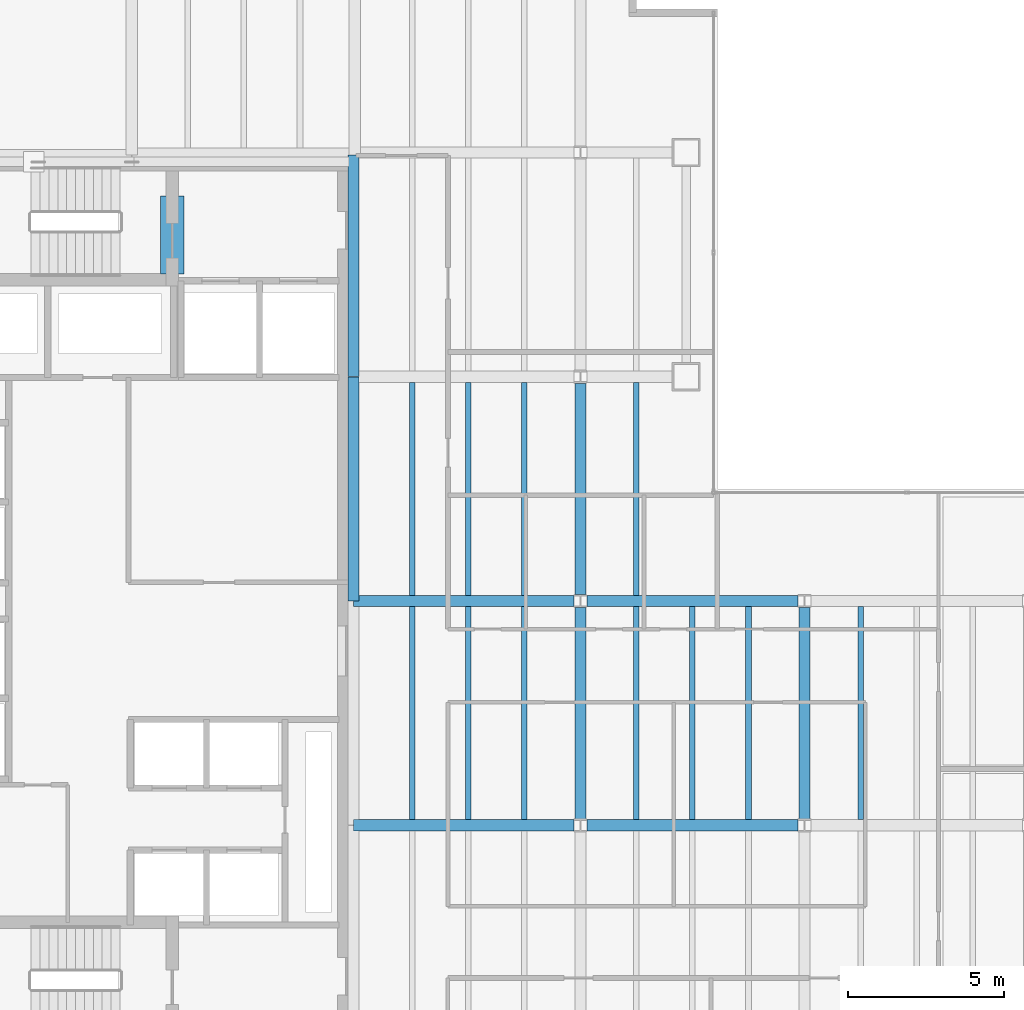
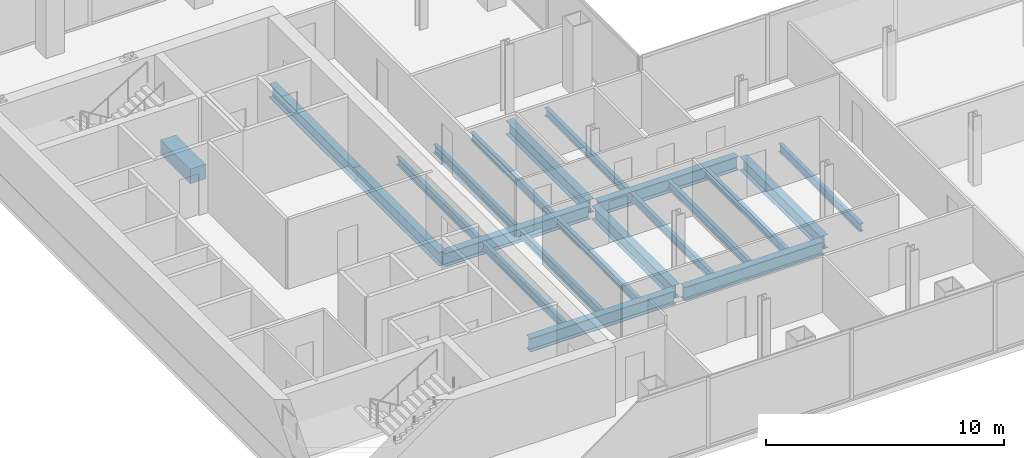
# One storey, part 6 of 23: 21 beams.
"""IFC4 building model written with IfcOpenShell, lengths in metres."""

from ifc_helpers import new_model, si_unit, direction, frame, origin, origin_2d, place, context, subcontext, project, spatial, rectangle, i_section, extrude, material, material_profile, profile_set, type_object, element, save


model = new_model("IFC4")

# Units and contexts
model_context = context("Model", 3, precision=1e-05, world=origin(), true_north=direction((0.0, 1.0)))
body_context = subcontext(model_context, "Body", "Model", "MODEL_VIEW")
ifc_project = project(units=[si_unit("LENGTHUNIT", "METRE"), si_unit("AREAUNIT", "SQUARE_METRE"), si_unit("VOLUMEUNIT", "CUBIC_METRE"), si_unit("PLANEANGLEUNIT", "RADIAN"), si_unit("MASSUNIT", "GRAM", prefix="KILO")], contexts=[model_context])

# Site, building, storey
site_placement = place(None, origin())
site = spatial("IfcSite", under=ifc_project, at=site_placement, CompositionType="ELEMENT")
building_placement = place(site_placement, origin())
building = spatial("IfcBuilding", under=site, at=building_placement, Name="Cobrela Telecom Tower", CompositionType="ELEMENT")
storey_placement = place(building_placement, frame((0.0, 0.0, 140.699951171875)))
storey = spatial("IfcBuildingStorey", under=building, at=storey_placement, Name="L35", CompositionType="ELEMENT", Elevation=140.699951171875)

# Beams
ifc_material_1 = material(Name="Concrete C40/50", Category="concrete")
ifc_material_profile_1 = material_profile(ifc_material_1, rectangle(XDim=0.75, YDim=0.75, at=origin_2d()), Name="RC 750x750")
ifc_profile_set_1 = profile_set([ifc_material_profile_1], Name="Concrete C40/50")
beam_type_1 = type_object("IfcBeamType", Name="BM-COUP-RC", PredefinedType="LINTEL", material=ifc_profile_set_1)
beam_1_placement = place(storey_placement, frame((8.5, 32.10009765625, -0.619873046875), z_axis=(0.0, 1.0, 0.0), x_axis=(-1.0, 0.0, 0.0)))
element("IfcBeam", 1, at=beam_1_placement, inside=storey, type_object=beam_type_1, Name="L35 Core Coupling Lintel Beam", PredefinedType="LINTEL", context=body_context, shape_type="SweptSolid", body=[
    extrude(rectangle(XDim=0.75, YDim=0.75, at=origin_2d()), origin(), (0.0, 0.0, 1.0), 2.5),
])
ifc_material_2 = material(Name="Steel ASTM A992 Grade 50", Category="steel")
ifc_material_profile_2 = material_profile(ifc_material_2, i_section(OverallWidth=0.35595703125, OverallDepth=0.696044921875, WebThickness=0.015380859375, FlangeThickness=0.024658203125, FilletRadius=0.01806640625, at=origin_2d()), Name="W27X146")
ifc_profile_set_2 = profile_set([ifc_material_profile_2], Name="Steel ASTM A992 Grade 50")
beam_type_2 = type_object("IfcBeamType", Name="BM-GIRD-05", PredefinedType="USERDEFINED", material=ifc_profile_set_2)
beam_2_placement = place(storey_placement, frame((14.324951171875, 14.39990234375, -0.617919921875), z_axis=(1.0, 0.0, 0.0), x_axis=(0.0, 1.0, 0.0)))
element("IfcBeam", 2, at=beam_2_placement, inside=storey, type_object=beam_type_2, Name="L35 Primary Girder X13", ObjectType="GIRDER", PredefinedType="USERDEFINED", context=body_context, shape_type="SweptSolid", body=[
    extrude(i_section(OverallWidth=0.35595703125, OverallDepth=0.696044921875, WebThickness=0.015380859375, FlangeThickness=0.024658203125, FilletRadius=0.01806640625, at=origin_2d()), origin(), (0.0, 0.0, 1.0), 7.0654296875),
])
beam_3_placement = place(storey_placement, frame((21.8095703125, 14.39990234375, -0.617919921875), z_axis=(1.0, 0.0, 0.0), x_axis=(0.0, 1.0, 0.0)))
element("IfcBeam", 3, at=beam_3_placement, inside=storey, type_object=beam_type_2, Name="L35 Primary Girder X14", ObjectType="GIRDER", PredefinedType="USERDEFINED", context=body_context, shape_type="SweptSolid", body=[
    extrude(i_section(OverallWidth=0.35595703125, OverallDepth=0.696044921875, WebThickness=0.015380859375, FlangeThickness=0.024658203125, FilletRadius=0.01806640625, at=origin_2d()), origin(), (0.0, 0.0, 1.0), 6.781005859375),
])
beam_4_placement = place(storey_placement, frame((14.324951171875, 21.60009765625, -0.617919921875), z_axis=(1.0, 0.0, 0.0), x_axis=(0.0, 1.0, 0.0)))
element("IfcBeam", 4, at=beam_4_placement, inside=storey, type_object=beam_type_2, Name="L35 Primary Girder X18", ObjectType="GIRDER", PredefinedType="USERDEFINED", context=body_context, shape_type="SweptSolid", body=[
    extrude(i_section(OverallWidth=0.35595703125, OverallDepth=0.696044921875, WebThickness=0.015380859375, FlangeThickness=0.024658203125, FilletRadius=0.01806640625, at=origin_2d()), origin(), (0.0, 0.0, 1.0), 7.0654296875),
])
beam_5_placement = place(storey_placement, frame((21.8095703125, 21.60009765625, -0.617919921875), z_axis=(1.0, 0.0, 0.0), x_axis=(0.0, 1.0, 0.0)))
element("IfcBeam", 5, at=beam_5_placement, inside=storey, type_object=beam_type_2, Name="L35 Primary Girder X19", ObjectType="GIRDER", PredefinedType="USERDEFINED", context=body_context, shape_type="SweptSolid", body=[
    extrude(i_section(OverallWidth=0.35595703125, OverallDepth=0.696044921875, WebThickness=0.015380859375, FlangeThickness=0.024658203125, FilletRadius=0.01806640625, at=origin_2d()), origin(), (0.0, 0.0, 1.0), 6.781005859375),
])
beam_6_placement = place(storey_placement, frame((14.320068359375, 21.60498046875, -0.617919921875), z_axis=(0.0, 1.0, 0.0), x_axis=(-1.0, 0.0, 0.0)))
element("IfcBeam", 6, at=beam_6_placement, inside=storey, type_object=beam_type_2, Name="L35 Primary Girder Y36", ObjectType="GIRDER", PredefinedType="USERDEFINED", context=body_context, shape_type="SweptSolid", body=[
    extrude(i_section(OverallWidth=0.35595703125, OverallDepth=0.696044921875, WebThickness=0.015380859375, FlangeThickness=0.024658203125, FilletRadius=0.01806640625, at=origin_2d()), origin(), (0.0, 0.0, 1.0), 7.18994140625),
])
beam_7_placement = place(storey_placement, frame((14.320068359375, 28.804931640625, -0.617919921875), z_axis=(0.0, 1.0, 0.0), x_axis=(-1.0, 0.0, 0.0)))
element("IfcBeam", 7, at=beam_7_placement, inside=storey, type_object=beam_type_2, Name="L35 Primary Girder Y37", ObjectType="GIRDER", PredefinedType="USERDEFINED", context=body_context, shape_type="SweptSolid", body=[
    extrude(i_section(OverallWidth=0.35595703125, OverallDepth=0.696044921875, WebThickness=0.015380859375, FlangeThickness=0.024658203125, FilletRadius=0.01806640625, at=origin_2d()), origin(), (0.0, 0.0, 1.0), 7.110107421875),
])
beam_8_placement = place(storey_placement, frame((21.60009765625, 14.609619140625, -0.617919921875), z_axis=(0.0, 1.0, 0.0), x_axis=(-1.0, 0.0, 0.0)))
element("IfcBeam", 8, at=beam_8_placement, inside=storey, type_object=beam_type_2, Name="L35 Primary Girder Y41", ObjectType="GIRDER", PredefinedType="USERDEFINED", context=body_context, shape_type="SweptSolid", body=[
    extrude(i_section(OverallWidth=0.35595703125, OverallDepth=0.696044921875, WebThickness=0.015380859375, FlangeThickness=0.024658203125, FilletRadius=0.01806640625, at=origin_2d()), origin(), (0.0, 0.0, 1.0), 6.78076171875),
])
beam_9_placement = place(storey_placement, frame((21.60009765625, 21.8095703125, -0.617919921875), z_axis=(0.0, 1.0, 0.0), x_axis=(-1.0, 0.0, 0.0)))
element("IfcBeam", 9, at=beam_9_placement, inside=storey, type_object=beam_type_2, Name="L35 Primary Girder Y42", ObjectType="GIRDER", PredefinedType="USERDEFINED", context=body_context, shape_type="SweptSolid", body=[
    extrude(i_section(OverallWidth=0.35595703125, OverallDepth=0.696044921875, WebThickness=0.015380859375, FlangeThickness=0.024658203125, FilletRadius=0.01806640625, at=origin_2d()), origin(), (0.0, 0.0, 1.0), 6.781005859375),
])
beam_10_placement = place(storey_placement, frame((28.800048828125, 14.609619140625, -0.617919921875), z_axis=(0.0, 1.0, 0.0), x_axis=(-1.0, 0.0, 0.0)))
element("IfcBeam", 10, at=beam_10_placement, inside=storey, type_object=beam_type_2, Name="L35 Primary Girder Y48", ObjectType="GIRDER", PredefinedType="USERDEFINED", context=body_context, shape_type="SweptSolid", body=[
    extrude(i_section(OverallWidth=0.35595703125, OverallDepth=0.696044921875, WebThickness=0.015380859375, FlangeThickness=0.024658203125, FilletRadius=0.01806640625, at=origin_2d()), origin(), (0.0, 0.0, 1.0), 6.78076171875),
])
ifc_material_profile_3 = material_profile(ifc_material_2, i_section(OverallWidth=0.179931640625, OverallDepth=0.4169921875, WebThickness=0.010986328125, FlangeThickness=0.01806640625, FilletRadius=0.011962890625, at=origin_2d()), Name="W16X57")
ifc_profile_set_3 = profile_set([ifc_material_profile_3], Name="Steel ASTM A992 Grade 50")
beam_type_3 = type_object("IfcBeamType", Name="BM-JOIST-04", PredefinedType="JOIST", material=ifc_profile_set_3)
for number, where, z_axis, x_axis, name in (
    (11, (16.199951171875, 14.5830078125, -0.478515625), (0.0, 1.0, 0.0), (-1.0, 0.0, 0.0), "L35 Secondary Composite Floor Beam J05"),
    (12, (16.199951171875, 21.782958984375, -0.478515625), (0.0, 1.0, 0.0), (-1.0, 0.0, 0.0), "L35 Secondary Composite Floor Beam J06"),
    (13, (18.0, 14.5830078125, -0.478515625), (0.0, 1.0, 0.0), (-1.0, 0.0, 0.0), "L35 Secondary Composite Floor Beam J10"),
    (14, (18.0, 21.782958984375, -0.478515625), (0.0, 1.0, 0.0), (-1.0, 0.0, 0.0), "L35 Secondary Composite Floor Beam J11"),
    (15, (19.800048828125, 14.5830078125, -0.478515625), (0.0, 1.0, 0.0), (-1.0, 0.0, 0.0), "L35 Secondary Composite Floor Beam J15"),
    (16, (19.800048828125, 21.782958984375, -0.478515625), (0.0, 1.0, 0.0), (-1.0, 0.0, 0.0), "L35 Secondary Composite Floor Beam J16"),
    (17, (23.39990234375, 14.5830078125, -0.478515625), (0.0, 1.0, 0.0), (-1.0, 0.0, 0.0), "L35 Secondary Composite Floor Beam J20"),
    (18, (23.39990234375, 21.782958984375, -0.478515625), (0.0, 1.0, 0.0), (-1.0, 0.0, 0.0), "L35 Secondary Composite Floor Beam J21"),
    (19, (25.199951171875, 14.5830078125, -0.478515625), (0.0, 1.0, 0.0), (-1.0, 0.0, 0.0), "L35 Secondary Composite Floor Beam J24"),
    (20, (27.0, 14.5830078125, -0.478515625), (0.0, 1.0, 0.0), (-1.0, 0.0, 0.0), "L35 Secondary Composite Floor Beam J26"),
    (21, (30.60009765625, 14.5830078125, -0.478515625), (0.0, 1.0, 0.0), (-1.0, 0.0, 0.0), "L35 Secondary Composite Floor Beam J28"),
):
    element("IfcBeam", number, at=place(storey_placement, frame(where, z_axis=z_axis, x_axis=x_axis)), inside=storey, type_object=beam_type_3, Name=name, PredefinedType="JOIST", context=body_context, shape_type="SweptSolid", body=[
        extrude(i_section(OverallWidth=0.179931640625, OverallDepth=0.4169921875, WebThickness=0.010986328125, FlangeThickness=0.01806640625, FilletRadius=0.011962890625, at=origin_2d()), origin(), (0.0, 0.0, 1.0), 6.833984375),
    ])

save(model, "model.ifc")
